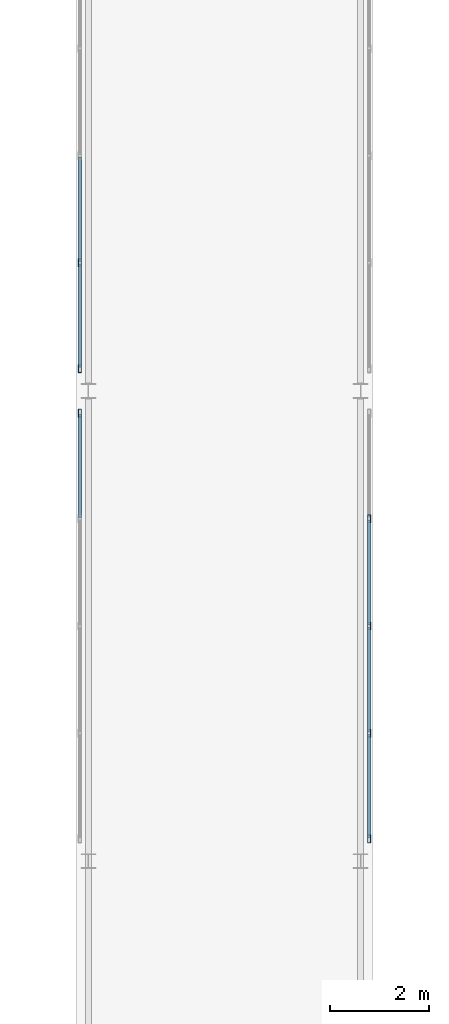
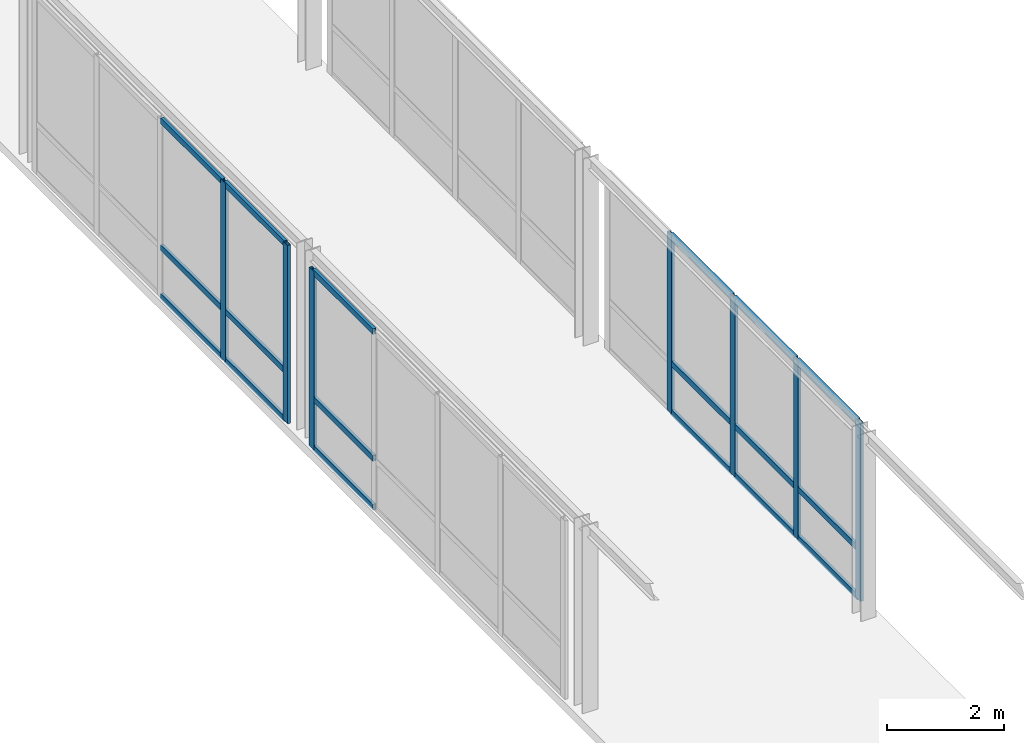
# One storey, part 41 of 189: 25 members, 3 elements without a shape of their own.
"""IFC4 building model written with IfcOpenShell, lengths in metres."""

import ifcopenshell
import ifcopenshell.guid

model = None  # the IFC model being written
_history = None  # IfcOwnerHistory: only IFC2X3 demands one
_inside = {}  # id of a spatial element -> (the spatial element, [elements in it])
_under = {}  # id of a project, library or spatial element -> (it, [spatial elements below it])
_declared = {}  # id of a project -> (the project, [libraries it declares])
_typed = {}  # id of a type object -> (the type object, [elements of that type])
_made_of = {}  # id of a material, layer set ... -> (it, [elements and type objects made of it])


def new_model(schema):
    """Start an empty IFC model of exactly this schema.

    Asked for "IFC4X3", IfcOpenShell would pick the latest addendum, in which some entities
    have other attributes; the version numbers below select the first issue.
    IFC2X3 requires an IfcOwnerHistory on every rooted entity: one is made here for all.
    """
    global model, _history
    if schema == "IFC4X3":
        model = ifcopenshell.file(schema_version=(4, 3, 0, 0))
    else:
        model = ifcopenshell.file(schema=schema)
    _inside.clear()
    _under.clear()
    _declared.clear()
    _typed.clear()
    _made_of.clear()
    _history = None
    if model.schema == "IFC2X3":
        org = make("IfcOrganization", Name="unknown")
        user = make(
            "IfcPersonAndOrganization",
            ThePerson=make("IfcPerson", FamilyName="unknown"),
            TheOrganization=org,
        )
        app = make(
            "IfcApplication",
            ApplicationDeveloper=org,
            Version="unknown",
            ApplicationFullName="unknown",
            ApplicationIdentifier="unknown",
        )
        _history = make(
            "IfcOwnerHistory",
            OwningUser=user,
            OwningApplication=app,
            ChangeAction="ADDED",
            CreationDate=0,
        )
    return model


def make(cls, **values):
    """One entity of the class cls with the attributes given. An attribute that is None is left unset."""
    return model.create_entity(
        cls, **{name: value for name, value in values.items() if value is not None}
    )


def rooted(cls, **values):
    """An entity with a GlobalId (a new one), such as an element, a storey or a relation."""
    return make(cls, GlobalId=ifcopenshell.guid.new(), OwnerHistory=_history, **values)


def si_unit(unit_type, name, prefix=None):
    """IfcSIUnit, for example si_unit("LENGTHUNIT", "METRE", prefix="MILLI")."""
    return make("IfcSIUnit", UnitType=unit_type, Prefix=prefix, Name=name)


def assignment(units):
    """IfcUnitAssignment: the units of a project."""
    return None if units is None else make("IfcUnitAssignment", Units=units)


def point(xyz):
    """IfcCartesianPoint."""
    return None if xyz is None else make("IfcCartesianPoint", Coordinates=xyz)


def direction(xyz):
    """IfcDirection."""
    return None if xyz is None else make("IfcDirection", DirectionRatios=xyz)


def frame(location, z_axis=None, x_axis=None):
    """IfcAxis2Placement3D, a coordinate frame: its origin and axes. An axis left out is left unset."""
    return make(
        "IfcAxis2Placement3D",
        Location=point(location),
        Axis=direction(z_axis),
        RefDirection=direction(x_axis),
    )


def frame_2d(location, x_axis=None):
    """IfcAxis2Placement2D, a coordinate frame in the plane: its origin and x axis."""
    return make(
        "IfcAxis2Placement2D", Location=point(location), RefDirection=direction(x_axis)
    )


def origin():
    """The frame at (0, 0, 0) with its axes left unset."""
    return frame((0.0, 0.0, 0.0))


def origin_2d():
    """The frame at (0, 0) in the plane with its x axis left unset."""
    return frame_2d((0.0, 0.0))


def place(relative_to, where):
    """IfcLocalPlacement: puts the frame where relative to a parent placement (None: the world)."""
    return make(
        "IfcLocalPlacement", PlacementRelTo=relative_to, RelativePlacement=where
    )


def context(
    kind, dimensions, precision=None, world=None, true_north=None, identifier=None
):
    """IfcGeometricRepresentationContext, for example the 3D "Model" context."""
    return make(
        "IfcGeometricRepresentationContext",
        ContextIdentifier=identifier,
        ContextType=kind,
        CoordinateSpaceDimension=dimensions,
        Precision=precision,
        WorldCoordinateSystem=world,
        TrueNorth=true_north,
    )


def subcontext(parent, identifier, kind, view, scale=None):
    """IfcGeometricRepresentationSubContext, for example "Body" below "Model"."""
    return make(
        "IfcGeometricRepresentationSubContext",
        ContextIdentifier=identifier,
        ContextType=kind,
        ParentContext=parent,
        TargetScale=scale,
        TargetView=view,
    )


def project(units=None, contexts=None):
    """IfcProject with its units and contexts."""
    return rooted(
        "IfcProject",
        Name="project",
        RepresentationContexts=contexts,
        UnitsInContext=assignment(units),
    )


def spatial(cls, under=None, at=None, **own):
    """A site, building, storey or space (cls), placed at a placement, below another one or the project."""
    s = rooted(cls, ObjectPlacement=at, **own)
    if under is not None:
        _under.setdefault(under.id(), (under, []))[1].append(s)
    return s


def profile(cls, at=None, kind="AREA", **sizes):
    """A parametric profile (cls). Its sizes go by their IFC names, for example OverallWidth=200.0."""
    return make(cls, ProfileType=kind, Position=at, **sizes)


def hollow_rectangle(**sizes):
    """IfcRectangleHollowProfileDef."""
    return profile("IfcRectangleHollowProfileDef", **sizes)


def extrude(swept, where, along, depth):
    """IfcExtrudedAreaSolid: the profile swept, set in the frame where, extruded along a direction by depth."""
    return make(
        "IfcExtrudedAreaSolid",
        SweptArea=swept,
        Position=where,
        ExtrudedDirection=direction(along),
        Depth=depth,
    )


def shape(context_of_items, identifier, shape_type, items):
    """IfcShapeRepresentation: the items that make up one representation, for example the "Body"."""
    return make(
        "IfcShapeRepresentation",
        ContextOfItems=context_of_items,
        RepresentationIdentifier=identifier,
        RepresentationType=shape_type,
        Items=items,
    )


def material(Name=None, Category=None):
    """IfcMaterial."""
    return make("IfcMaterial", Name=Name, Category=Category)


def layer(
    of_material, thickness, ventilated=None, Name=None, Category=None, Priority=None
):
    """IfcMaterialLayer: one layer of a wall or slab, of a material (None: an air gap)."""
    return make(
        "IfcMaterialLayer",
        Material=of_material,
        LayerThickness=thickness,
        IsVentilated=ventilated,
        Name=Name,
        Category=Category,
        Priority=Priority,
    )


def layer_set(layers, Name=None):
    """IfcMaterialLayerSet."""
    return make("IfcMaterialLayerSet", MaterialLayers=layers, LayerSetName=Name)


def material_profile(
    of_material, cross_section, Name=None, Category=None, Priority=None
):
    """IfcMaterialProfile: a cross section and its material."""
    return make(
        "IfcMaterialProfile",
        Name=Name,
        Material=of_material,
        Profile=cross_section,
        Priority=Priority,
        Category=Category,
    )


def profile_set(profiles, Name=None, composite=None):
    """IfcMaterialProfileSet."""
    return make(
        "IfcMaterialProfileSet",
        Name=Name,
        MaterialProfiles=profiles,
        CompositeProfile=composite,
    )


def made_of(thing, what):
    """Note that an element or type object is made of a material, layer set ...; save() writes the relation."""
    if what is not None:
        _made_of.setdefault(what.id(), (what, []))[1].append(thing)
    return thing


def type_object(cls, material=None, **own):
    """A type object (cls), such as IfcWallType, which elements share."""
    return made_of(rooted(cls, **own), material)


def element(
    cls,
    number,
    at=None,
    inside=None,
    cuts=None,
    type_object=None,
    material=None,
    context=None,
    identifier="Body",
    shape_type=None,
    held_by="IfcProductDefinitionShape",
    body=None,
    shapes=None,
    **own,
):
    """One element of the class cls, such as IfcWall. Its Tag is "e" and its number.

    at: its placement. inside: the storey or other place that contains it. cuts: it is an
    opening in that element (IfcRelVoidsElement). A single representation is given by context,
    identifier, shape_type and body (its items); several are given by shapes. held_by: the class
    of the entity that holds the representations. save() writes the other relations.
    """
    e = rooted(cls, Tag="e%d" % number, ObjectPlacement=at, **own)
    if body is not None:
        shapes = [shape(context, identifier, shape_type, body)]
    if shapes is not None:
        e.Representation = make(held_by, Representations=shapes)
    if inside is not None:
        _inside.setdefault(inside.id(), (inside, []))[1].append(e)
    if cuts is not None:
        rooted(
            "IfcRelVoidsElement", RelatingBuildingElement=cuts, RelatedOpeningElement=e
        )
    if type_object is not None:
        _typed.setdefault(type_object.id(), (type_object, []))[1].append(e)
    return made_of(e, material)


def aggregate(whole, parts):
    """IfcRelAggregates: a whole, such as a stair, and the parts it consists of."""
    return rooted("IfcRelAggregates", RelatingObject=whole, RelatedObjects=parts)


def save(model, path):
    """Write the relations noted so far, then the file.

    IfcRelAggregates (storeys below a building ...), IfcRelContainedInSpatialStructure (elements
    in a storey), IfcRelDefinesByType, IfcRelAssociatesMaterial and IfcRelDeclares: one each for
    every whole, place, type object, material and project.
    """
    for whole, parts in _under.values():
        aggregate(whole, parts)
    for where, things in _inside.values():
        rooted(
            "IfcRelContainedInSpatialStructure",
            RelatedElements=things,
            RelatingStructure=where,
        )
    for kind, things in _typed.values():
        rooted("IfcRelDefinesByType", RelatedObjects=things, RelatingType=kind)
    for what, things in _made_of.values():
        rooted("IfcRelAssociatesMaterial", RelatedObjects=things, RelatingMaterial=what)
    for by, libraries in _declared.values():
        rooted("IfcRelDeclares", RelatingContext=by, RelatedDefinitions=libraries)
    model.write(path)


model = new_model("IFC4")

# Units and contexts
model_context = context("Model", 3, precision=1e-05, world=origin(), true_north=direction((0.0, 1.0)))
body_context = subcontext(model_context, "Body", "Model", "MODEL_VIEW")
ifc_project = project(units=[si_unit("LENGTHUNIT", "METRE"), si_unit("AREAUNIT", "SQUARE_METRE"), si_unit("VOLUMEUNIT", "CUBIC_METRE"), si_unit("PLANEANGLEUNIT", "RADIAN"), si_unit("MASSUNIT", "GRAM", prefix="KILO")], contexts=[model_context])

# Site, building, storey
site_placement = place(None, origin())
site = spatial("IfcSite", under=ifc_project, at=site_placement, CompositionType="ELEMENT")
building_placement = place(site_placement, origin())
building = spatial("IfcBuilding", under=site, at=building_placement, Name="Montecoro Central Library", CompositionType="ELEMENT")
storey_placement = place(building_placement, frame((0.0, 0.0, 9.179931640625)))
storey = spatial("IfcBuildingStorey", under=building, at=storey_placement, Name="L02", CompositionType="ELEMENT", Elevation=9.179931640625)

# Curtain wall, member
ifc_material_1 = material(Name="Bronze-anodised aluminium and low-E glazing", Category="aluminium")
ifc_layer_1 = layer(ifc_material_1, 0.159912109375)
ifc_layer_set_1 = layer_set([ifc_layer_1], Name="Bronze-anodised aluminium and low-E glazing")
curtain_wall_type_1 = type_object("IfcCurtainWallType", Name="CWT-081", PredefinedType="NOTDEFINED", material=ifc_layer_set_1)
curtain_wall_1_placement = place(storey_placement, origin())
curtain_wall_1 = element("IfcCurtainWall", 1, at=curtain_wall_1_placement, inside=storey, type_object=curtain_wall_type_1, Name="BR-W-L02-CW-W1", PredefinedType="NOTDEFINED")
ifc_material_2 = material(Name="Bronze-anodised aluminium", Category="aluminium")
ifc_material_profile_1 = material_profile(ifc_material_2, hollow_rectangle(XDim=0.06005859375, YDim=0.159912109375, WallThickness=0.00390625, at=origin_2d()), Name="CWM 160x60x4.0")
ifc_profile_set_1 = profile_set([ifc_material_profile_1], Name="Bronze-anodised aluminium")
member_type_1 = type_object("IfcMemberType", Name="CWM-BRZ-60", PredefinedType="MULLION", material=ifc_profile_set_1)
member_1_placement = place(storey_placement, frame((24.8798828125, 53.949951171875, 0.0), z_axis=(0.0, 0.0, 1.0), x_axis=(-1.0, 0.0, 0.0)))
member_1 = element("IfcMember", 2, at=member_1_placement, type_object=member_type_1, Name="CW-081 mullion 5", PredefinedType="MULLION", context=body_context, shape_type="SweptSolid", body=[
    extrude(hollow_rectangle(XDim=0.06005859375, YDim=0.159912109375, WallThickness=0.00390625, at=origin_2d()), origin(), (0.0, 0.0, 1.0), 3.72998046875),
])

# Curtain wall, members
ifc_layer_2 = layer(ifc_material_1, 0.159912109375)
ifc_layer_set_2 = layer_set([ifc_layer_2], Name="Bronze-anodised aluminium and low-E glazing")
curtain_wall_type_2 = type_object("IfcCurtainWallType", Name="CWT-082", PredefinedType="NOTDEFINED", material=ifc_layer_set_2)
curtain_wall_2_placement = place(storey_placement, origin())
curtain_wall_2 = element("IfcCurtainWall", 3, at=curtain_wall_2_placement, inside=storey, type_object=curtain_wall_type_2, Name="BR-W-L02-CW-W2", PredefinedType="NOTDEFINED")
member_2_placement = place(storey_placement, frame((24.8798828125, 54.85009765625, 0.0), z_axis=(0.0, 0.0, 1.0), x_axis=(-1.0, 0.0, 0.0)))
member_2 = element("IfcMember", 4, at=member_2_placement, type_object=member_type_1, Name="CW-082 mullion 1", PredefinedType="MULLION", context=body_context, shape_type="SweptSolid", body=[
    extrude(hollow_rectangle(XDim=0.06005859375, YDim=0.159912109375, WallThickness=0.00390625, at=origin_2d()), origin(), (0.0, 0.0, 1.0), 3.72998046875),
])
member_3_placement = place(storey_placement, frame((24.8798828125, 56.985107421875, 0.0), z_axis=(0.0, 0.0, 1.0), x_axis=(-1.0, 0.0, 0.0)))
member_3 = element("IfcMember", 5, at=member_3_placement, type_object=member_type_1, Name="CW-082 mullion 2", PredefinedType="MULLION", context=body_context, shape_type="SweptSolid", body=[
    extrude(hollow_rectangle(XDim=0.06005859375, YDim=0.159912109375, WallThickness=0.00390625, at=origin_2d()), origin(), (0.0, 0.0, 1.0), 3.72998046875),
])

curtain_wall_3_placement = place(storey_placement, origin())
curtain_wall_3 = element("IfcCurtainWall", 6, at=curtain_wall_3_placement, inside=storey, type_object=curtain_wall_type_1, Name="BR-W-L02-CW-E1", PredefinedType="NOTDEFINED")
member_4_placement = place(storey_placement, frame((30.719970703125, 45.35009765625, 0.0), z_axis=(0.0, 0.0, 1.0), x_axis=(-1.0, 0.0, 0.0)))
member_4 = element("IfcMember", 7, at=member_4_placement, type_object=member_type_1, Name="CW-081 mullion 1", PredefinedType="MULLION", context=body_context, shape_type="SweptSolid", body=[
    extrude(hollow_rectangle(XDim=0.06005859375, YDim=0.159912109375, WallThickness=0.00390625, at=origin_2d()), origin(), (0.0, 0.0, 1.0), 3.72998046875),
])
member_5_placement = place(storey_placement, frame((30.719970703125, 47.485107421875, 0.0), z_axis=(0.0, 0.0, 1.0), x_axis=(-1.0, 0.0, 0.0)))
member_5 = element("IfcMember", 8, at=member_5_placement, type_object=member_type_1, Name="CW-081 mullion 2", PredefinedType="MULLION", context=body_context, shape_type="SweptSolid", body=[
    extrude(hollow_rectangle(XDim=0.06005859375, YDim=0.159912109375, WallThickness=0.00390625, at=origin_2d()), origin(), (0.0, 0.0, 1.0), 3.72998046875),
])
member_6_placement = place(storey_placement, frame((30.719970703125, 49.64990234375, 0.0), z_axis=(0.0, 0.0, 1.0), x_axis=(-1.0, 0.0, 0.0)))
member_6 = element("IfcMember", 9, at=member_6_placement, type_object=member_type_1, Name="CW-081 mullion 3", PredefinedType="MULLION", context=body_context, shape_type="SweptSolid", body=[
    extrude(hollow_rectangle(XDim=0.06005859375, YDim=0.159912109375, WallThickness=0.00390625, at=origin_2d()), origin(), (0.0, 0.0, 1.0), 3.72998046875),
])
member_7_placement = place(storey_placement, frame((30.719970703125, 51.81494140625, 0.0), z_axis=(0.0, 0.0, 1.0), x_axis=(-1.0, 0.0, 0.0)))
member_7 = element("IfcMember", 10, at=member_7_placement, type_object=member_type_1, Name="CW-081 mullion 4", PredefinedType="MULLION", context=body_context, shape_type="SweptSolid", body=[
    extrude(hollow_rectangle(XDim=0.06005859375, YDim=0.159912109375, WallThickness=0.00390625, at=origin_2d()), origin(), (0.0, 0.0, 1.0), 3.72998046875),
])

# Member
ifc_material_profile_2 = material_profile(ifc_material_2, hollow_rectangle(XDim=0.06005859375, YDim=0.1201171875, WallThickness=0.00390625, at=origin_2d()), Name="CWT 120x60x4.0")
ifc_profile_set_2 = profile_set([ifc_material_profile_2], Name="Bronze-anodised aluminium")
member_type_2 = type_object("IfcMemberType", Name="CWT-BRZ-60", PredefinedType="USERDEFINED", material=ifc_profile_set_2)
member_8_placement = place(storey_placement, frame((24.8798828125, 51.844970703125, 0.030029296875), z_axis=(0.0, 1.0, 0.0), x_axis=(-1.0, 0.0, 0.0)))
member_8 = element("IfcMember", 11, at=member_8_placement, type_object=member_type_2, Name="CW-081 transom 4.1", ObjectType="TRANSOM", PredefinedType="USERDEFINED", context=body_context, shape_type="SweptSolid", body=[
    extrude(hollow_rectangle(XDim=0.06005859375, YDim=0.1201171875, WallThickness=0.00390625, at=origin_2d()), origin(), (0.0, 0.0, 1.0), 2.074951171875),
])

member_9_placement = place(storey_placement, frame((24.8798828125, 51.844970703125, 1.050048828125), z_axis=(0.0, 1.0, 0.0), x_axis=(-1.0, 0.0, 0.0)))
member_9 = element("IfcMember", 12, at=member_9_placement, type_object=member_type_2, Name="CW-081 transom 4.2", ObjectType="TRANSOM", PredefinedType="USERDEFINED", context=body_context, shape_type="SweptSolid", body=[
    extrude(hollow_rectangle(XDim=0.06005859375, YDim=0.1201171875, WallThickness=0.00390625, at=origin_2d()), origin(), (0.0, 0.0, 1.0), 2.074951171875),
])

member_10_placement = place(storey_placement, frame((24.8798828125, 51.844970703125, 3.699951171875), z_axis=(0.0, 1.0, 0.0), x_axis=(-1.0, 0.0, 0.0)))
member_10 = element("IfcMember", 13, at=member_10_placement, type_object=member_type_2, Name="CW-081 transom 4.3", ObjectType="TRANSOM", PredefinedType="USERDEFINED", context=body_context, shape_type="SweptSolid", body=[
    extrude(hollow_rectangle(XDim=0.06005859375, YDim=0.1201171875, WallThickness=0.00390625, at=origin_2d()), origin(), (0.0, 0.0, 1.0), 2.074951171875),
])

aggregate(curtain_wall_1, [member_1, member_8, member_9, member_10])

member_11_placement = place(storey_placement, frame((24.8798828125, 54.8798828125, 0.030029296875), z_axis=(0.0, 1.0, 0.0), x_axis=(-1.0, 0.0, 0.0)))
member_11 = element("IfcMember", 14, at=member_11_placement, type_object=member_type_2, Name="CW-082 transom 1.1", ObjectType="TRANSOM", PredefinedType="USERDEFINED", context=body_context, shape_type="SweptSolid", body=[
    extrude(hollow_rectangle(XDim=0.06005859375, YDim=0.1201171875, WallThickness=0.00390625, at=origin_2d()), origin(), (0.0, 0.0, 1.0), 2.0751953125),
])

member_12_placement = place(storey_placement, frame((24.8798828125, 54.8798828125, 1.050048828125), z_axis=(0.0, 1.0, 0.0), x_axis=(-1.0, 0.0, 0.0)))
member_12 = element("IfcMember", 15, at=member_12_placement, type_object=member_type_2, Name="CW-082 transom 1.2", ObjectType="TRANSOM", PredefinedType="USERDEFINED", context=body_context, shape_type="SweptSolid", body=[
    extrude(hollow_rectangle(XDim=0.06005859375, YDim=0.1201171875, WallThickness=0.00390625, at=origin_2d()), origin(), (0.0, 0.0, 1.0), 2.0751953125),
])

member_13_placement = place(storey_placement, frame((24.8798828125, 54.8798828125, 3.699951171875), z_axis=(0.0, 1.0, 0.0), x_axis=(-1.0, 0.0, 0.0)))
member_13 = element("IfcMember", 16, at=member_13_placement, type_object=member_type_2, Name="CW-082 transom 1.3", ObjectType="TRANSOM", PredefinedType="USERDEFINED", context=body_context, shape_type="SweptSolid", body=[
    extrude(hollow_rectangle(XDim=0.06005859375, YDim=0.1201171875, WallThickness=0.00390625, at=origin_2d()), origin(), (0.0, 0.0, 1.0), 2.0751953125),
])

member_14_placement = place(storey_placement, frame((24.8798828125, 57.014892578125, 0.030029296875), z_axis=(0.0, 1.0, 0.0), x_axis=(-1.0, 0.0, 0.0)))
member_14 = element("IfcMember", 17, at=member_14_placement, type_object=member_type_2, Name="CW-082 transom 2.1", ObjectType="TRANSOM", PredefinedType="USERDEFINED", context=body_context, shape_type="SweptSolid", body=[
    extrude(hollow_rectangle(XDim=0.06005859375, YDim=0.1201171875, WallThickness=0.00390625, at=origin_2d()), origin(), (0.0, 0.0, 1.0), 2.105224609375),
])

member_15_placement = place(storey_placement, frame((24.8798828125, 57.014892578125, 1.050048828125), z_axis=(0.0, 1.0, 0.0), x_axis=(-1.0, 0.0, 0.0)))
member_15 = element("IfcMember", 18, at=member_15_placement, type_object=member_type_2, Name="CW-082 transom 2.2", ObjectType="TRANSOM", PredefinedType="USERDEFINED", context=body_context, shape_type="SweptSolid", body=[
    extrude(hollow_rectangle(XDim=0.06005859375, YDim=0.1201171875, WallThickness=0.00390625, at=origin_2d()), origin(), (0.0, 0.0, 1.0), 2.105224609375),
])

member_16_placement = place(storey_placement, frame((24.8798828125, 57.014892578125, 3.699951171875), z_axis=(0.0, 1.0, 0.0), x_axis=(-1.0, 0.0, 0.0)))
member_16 = element("IfcMember", 19, at=member_16_placement, type_object=member_type_2, Name="CW-082 transom 2.3", ObjectType="TRANSOM", PredefinedType="USERDEFINED", context=body_context, shape_type="SweptSolid", body=[
    extrude(hollow_rectangle(XDim=0.06005859375, YDim=0.1201171875, WallThickness=0.00390625, at=origin_2d()), origin(), (0.0, 0.0, 1.0), 2.105224609375),
])

aggregate(curtain_wall_2, [member_2, member_3, member_11, member_12, member_13, member_14, member_15, member_16])

member_17_placement = place(storey_placement, frame((30.719970703125, 45.3798828125, 0.030029296875), z_axis=(0.0, 1.0, 0.0), x_axis=(-1.0, 0.0, 0.0)))
member_17 = element("IfcMember", 20, at=member_17_placement, type_object=member_type_2, Name="CW-081 transom 1.1", ObjectType="TRANSOM", PredefinedType="USERDEFINED", context=body_context, shape_type="SweptSolid", body=[
    extrude(hollow_rectangle(XDim=0.06005859375, YDim=0.1201171875, WallThickness=0.00390625, at=origin_2d()), origin(), (0.0, 0.0, 1.0), 2.0751953125),
])

member_18_placement = place(storey_placement, frame((30.719970703125, 45.3798828125, 1.050048828125), z_axis=(0.0, 1.0, 0.0), x_axis=(-1.0, 0.0, 0.0)))
member_18 = element("IfcMember", 21, at=member_18_placement, type_object=member_type_2, Name="CW-081 transom 1.2", ObjectType="TRANSOM", PredefinedType="USERDEFINED", context=body_context, shape_type="SweptSolid", body=[
    extrude(hollow_rectangle(XDim=0.06005859375, YDim=0.1201171875, WallThickness=0.00390625, at=origin_2d()), origin(), (0.0, 0.0, 1.0), 2.0751953125),
])

member_19_placement = place(storey_placement, frame((30.719970703125, 45.3798828125, 3.699951171875), z_axis=(0.0, 1.0, 0.0), x_axis=(-1.0, 0.0, 0.0)))
member_19 = element("IfcMember", 22, at=member_19_placement, type_object=member_type_2, Name="CW-081 transom 1.3", ObjectType="TRANSOM", PredefinedType="USERDEFINED", context=body_context, shape_type="SweptSolid", body=[
    extrude(hollow_rectangle(XDim=0.06005859375, YDim=0.1201171875, WallThickness=0.00390625, at=origin_2d()), origin(), (0.0, 0.0, 1.0), 2.0751953125),
])

member_20_placement = place(storey_placement, frame((30.719970703125, 47.514892578125, 0.030029296875), z_axis=(0.0, 1.0, 0.0), x_axis=(-1.0, 0.0, 0.0)))
member_20 = element("IfcMember", 23, at=member_20_placement, type_object=member_type_2, Name="CW-081 transom 2.1", ObjectType="TRANSOM", PredefinedType="USERDEFINED", context=body_context, shape_type="SweptSolid", body=[
    extrude(hollow_rectangle(XDim=0.06005859375, YDim=0.1201171875, WallThickness=0.00390625, at=origin_2d()), origin(), (0.0, 0.0, 1.0), 2.105224609375),
])

member_21_placement = place(storey_placement, frame((30.719970703125, 47.514892578125, 1.050048828125), z_axis=(0.0, 1.0, 0.0), x_axis=(-1.0, 0.0, 0.0)))
member_21 = element("IfcMember", 24, at=member_21_placement, type_object=member_type_2, Name="CW-081 transom 2.2", ObjectType="TRANSOM", PredefinedType="USERDEFINED", context=body_context, shape_type="SweptSolid", body=[
    extrude(hollow_rectangle(XDim=0.06005859375, YDim=0.1201171875, WallThickness=0.00390625, at=origin_2d()), origin(), (0.0, 0.0, 1.0), 2.105224609375),
])

member_22_placement = place(storey_placement, frame((30.719970703125, 47.514892578125, 3.699951171875), z_axis=(0.0, 1.0, 0.0), x_axis=(-1.0, 0.0, 0.0)))
member_22 = element("IfcMember", 25, at=member_22_placement, type_object=member_type_2, Name="CW-081 transom 2.3", ObjectType="TRANSOM", PredefinedType="USERDEFINED", context=body_context, shape_type="SweptSolid", body=[
    extrude(hollow_rectangle(XDim=0.06005859375, YDim=0.1201171875, WallThickness=0.00390625, at=origin_2d()), origin(), (0.0, 0.0, 1.0), 2.105224609375),
])

member_23_placement = place(storey_placement, frame((30.719970703125, 49.679931640625, 0.030029296875), z_axis=(0.0, 1.0, 0.0), x_axis=(-1.0, 0.0, 0.0)))
member_23 = element("IfcMember", 26, at=member_23_placement, type_object=member_type_2, Name="CW-081 transom 3.1", ObjectType="TRANSOM", PredefinedType="USERDEFINED", context=body_context, shape_type="SweptSolid", body=[
    extrude(hollow_rectangle(XDim=0.06005859375, YDim=0.1201171875, WallThickness=0.00390625, at=origin_2d()), origin(), (0.0, 0.0, 1.0), 2.10498046875),
])

member_24_placement = place(storey_placement, frame((30.719970703125, 49.679931640625, 1.050048828125), z_axis=(0.0, 1.0, 0.0), x_axis=(-1.0, 0.0, 0.0)))
member_24 = element("IfcMember", 27, at=member_24_placement, type_object=member_type_2, Name="CW-081 transom 3.2", ObjectType="TRANSOM", PredefinedType="USERDEFINED", context=body_context, shape_type="SweptSolid", body=[
    extrude(hollow_rectangle(XDim=0.06005859375, YDim=0.1201171875, WallThickness=0.00390625, at=origin_2d()), origin(), (0.0, 0.0, 1.0), 2.10498046875),
])

member_25_placement = place(storey_placement, frame((30.719970703125, 49.679931640625, 3.699951171875), z_axis=(0.0, 1.0, 0.0), x_axis=(-1.0, 0.0, 0.0)))
member_25 = element("IfcMember", 28, at=member_25_placement, type_object=member_type_2, Name="CW-081 transom 3.3", ObjectType="TRANSOM", PredefinedType="USERDEFINED", context=body_context, shape_type="SweptSolid", body=[
    extrude(hollow_rectangle(XDim=0.06005859375, YDim=0.1201171875, WallThickness=0.00390625, at=origin_2d()), origin(), (0.0, 0.0, 1.0), 2.10498046875),
])

aggregate(curtain_wall_3, [member_4, member_5, member_6, member_7, member_17, member_18, member_19, member_20, member_21, member_22, member_23, member_24, member_25])

save(model, "model.ifc")
